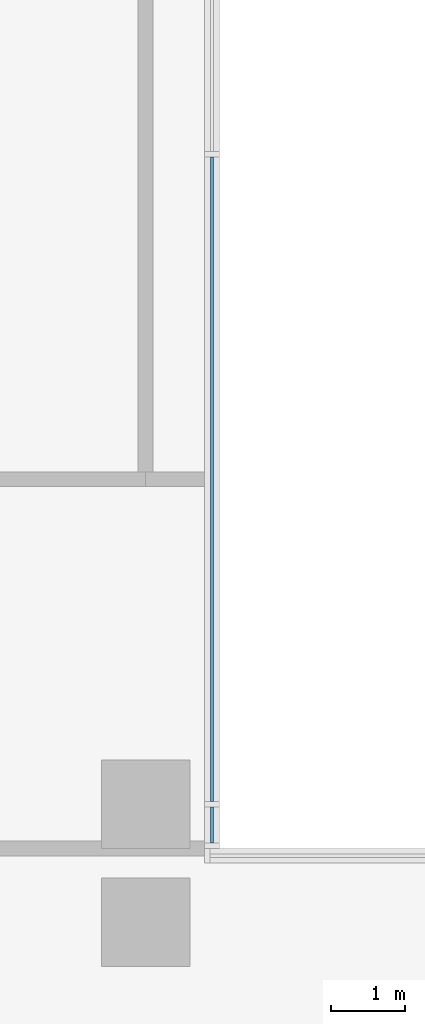
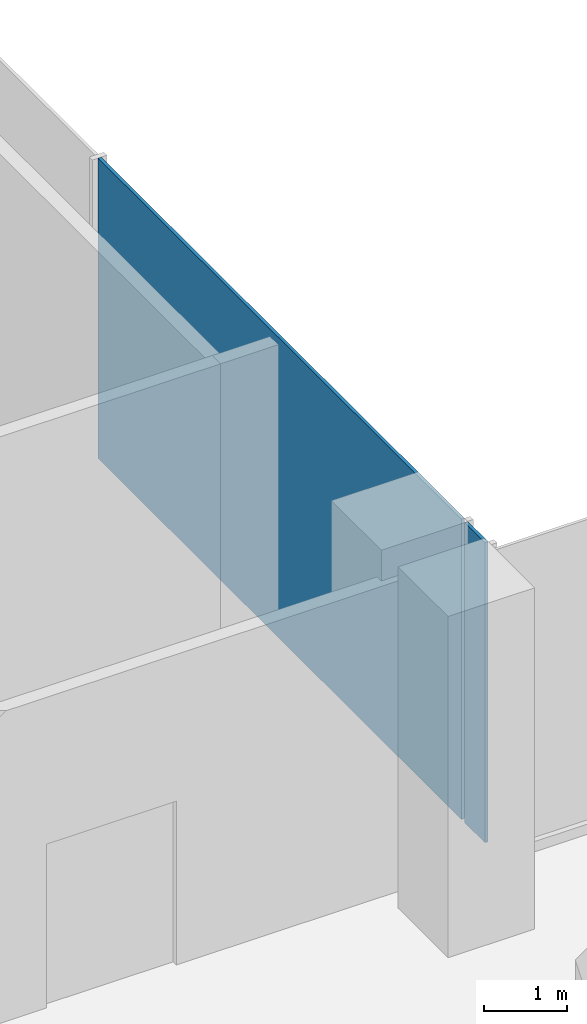
# One storey, part 13 of 27: 2 plates, 1 element without a shape of its own.
"""IFC4 building model written with IfcOpenShell, lengths in metres."""

from ifc_helpers import new_model, si_unit, direction, frame, origin, origin_2d, place, context, subcontext, project, spatial, rectangle, extrude, source, transform, mapped, material, layer, layer_set, type_object, element, aggregate, save


model = new_model("IFC4")

# Units and contexts
model_context = context("Model", 3, precision=1e-05, world=origin(), true_north=direction((0.0, 1.0)))
body_context = subcontext(model_context, "Body", "Model", "MODEL_VIEW")
ifc_project = project(units=[si_unit("LENGTHUNIT", "METRE"), si_unit("AREAUNIT", "SQUARE_METRE"), si_unit("VOLUMEUNIT", "CUBIC_METRE"), si_unit("PLANEANGLEUNIT", "RADIAN"), si_unit("MASSUNIT", "GRAM", prefix="KILO")], contexts=[model_context])

# Site, building, storey
site_placement = place(None, origin())
site = spatial("IfcSite", under=ifc_project, at=site_placement, CompositionType="ELEMENT")
building_placement = place(site_placement, origin())
building = spatial("IfcBuilding", under=site, at=building_placement, Name="Kemantara Hotel Tower", CompositionType="ELEMENT")
storey_placement = place(building_placement, frame((0.0, 0.0, 29.0)))
storey = spatial("IfcBuildingStorey", under=building, at=storey_placement, Name="L05", CompositionType="ELEMENT", Elevation=29.0)

# Curtain wall, plates
ifc_material = material(Name="Laminated tinted insulated glass 44 mm", Category="glass")
curtain_wall_type = type_object("IfcCurtainWallType", Name="PODIUM GLASS CURTAIN WALL", PredefinedType="USERDEFINED", material=ifc_material)
curtain_wall_placement = place(storey_placement, origin())
curtain_wall = element("IfcCurtainWall", 1, at=curtain_wall_placement, inside=storey, type_object=curtain_wall_type, Name="CW1 L05 POD-R08-1", ObjectType="PODIUM GLASS CURTAIN WALL", PredefinedType="USERDEFINED")
ifc_layer = layer(ifc_material, 0.0439453125)
ifc_layer_set = layer_set([ifc_layer], Name="Laminated tinted insulated glass 44 mm")
plate_type = type_object("IfcPlateType", Name="PODIUM GLASS CURTAIN WALL PANEL", PredefinedType="CURTAIN_PANEL", material=ifc_layer_set)
shared_shape_1 = source(origin(), body_context, "Body", "SweptSolid", [
    extrude(rectangle(XDim=8.72509765625, YDim=0.0439453125, at=origin_2d()), origin(), (0.0, 0.0, 1.0), 4.39990234375),
])
plate_1_placement = place(storey_placement, frame((63.5, 31.800048828125, 0.150146484375), z_axis=(0.0, 0.0, 1.0), x_axis=(0.0, 1.0, 0.0)))
plate_1 = element("IfcPlate", 2, at=plate_1_placement, type_object=plate_type, Name="CW1 glass panel POD-R08-1.2", PredefinedType="CURTAIN_PANEL", context=body_context, shape_type="MappedRepresentation", body=[
    mapped(shared_shape_1, transform((0.0, 0.0, 0.0))),
])
shared_shape_2 = source(origin(), body_context, "Body", "SweptSolid", [
    extrude(rectangle(XDim=0.487548828125, YDim=0.0439453125, at=origin_2d()), origin(), (0.0, 0.0, 1.0), 4.39990234375),
])
plate_2_placement = place(storey_placement, frame((63.5, 27.11865234375, 0.150146484375), z_axis=(0.0, 0.0, 1.0), x_axis=(0.0, 1.0, 0.0)))
plate_2 = element("IfcPlate", 3, at=plate_2_placement, type_object=plate_type, Name="CW1 glass panel POD-R08-1.1", PredefinedType="CURTAIN_PANEL", context=body_context, shape_type="MappedRepresentation", body=[
    mapped(shared_shape_2, transform((0.0, 0.0, 0.0))),
])
aggregate(curtain_wall, [plate_2, plate_1])

save(model, "model.ifc")
